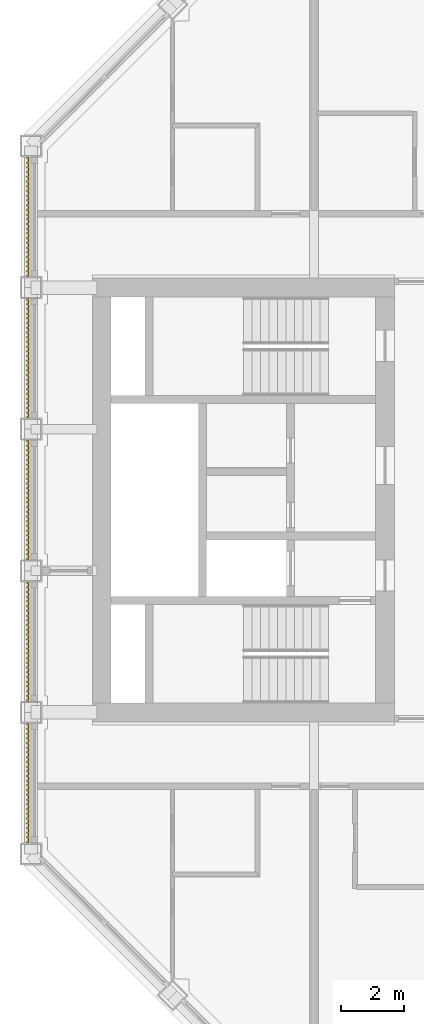
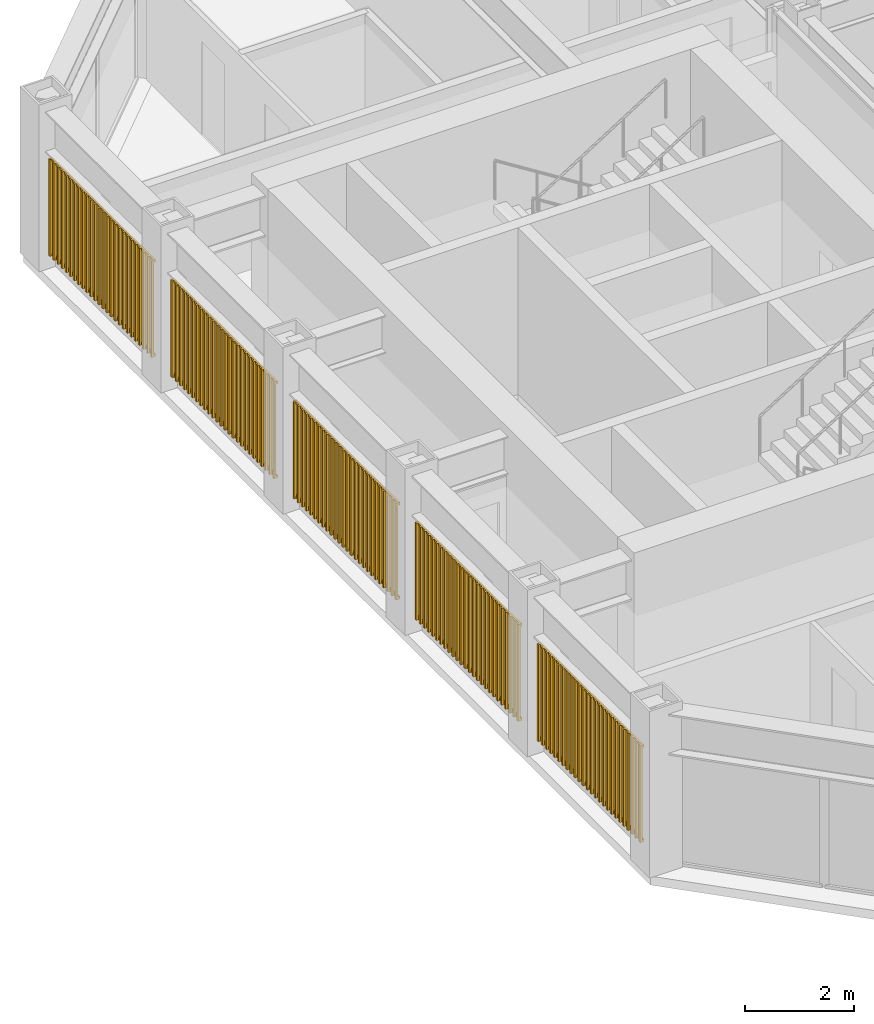
# One storey, part 15 of 18: 1 shading device.
"""IFC4 building model written with IfcOpenShell, lengths in metres."""

from ifc_helpers import new_model, si_unit, direction, frame, origin, origin_2d, place, context, subcontext, project, spatial, rectangle, extrude, material, type_object, element, save


model = new_model("IFC4")

# Units and contexts
model_context = context("Model", 3, precision=1e-05, world=origin(), true_north=direction((0.0, 1.0)))
body_context = subcontext(model_context, "Body", "Model", "MODEL_VIEW")
ifc_project = project(units=[si_unit("LENGTHUNIT", "METRE"), si_unit("AREAUNIT", "SQUARE_METRE"), si_unit("VOLUMEUNIT", "CUBIC_METRE"), si_unit("PLANEANGLEUNIT", "RADIAN"), si_unit("MASSUNIT", "GRAM", prefix="KILO")], contexts=[model_context])

# Site, building, storey
site_placement = place(None, origin())
site = spatial("IfcSite", under=ifc_project, at=site_placement, CompositionType="ELEMENT")
building_placement = place(site_placement, origin())
building = spatial("IfcBuilding", under=site, at=building_placement, Name="Msasa Ring Tower", CompositionType="ELEMENT")
storey_placement = place(building_placement, frame((0.0, 0.0, 200.800048828125)))
storey = spatial("IfcBuildingStorey", under=building, at=storey_placement, Name="L52", CompositionType="ELEMENT", Elevation=200.800048828125)

# Shading device
ifc_material = material(Name="Extruded terracotta on aluminium carriers", Category="masonry")
shading_device_type = type_object("IfcShadingDeviceType", Name="BS1 TERRACOTTA BAGUETTE SCREEN 50x50 AT 150", PredefinedType="USERDEFINED", material=ifc_material)
shading_device_placement = place(storey_placement, origin())
element("IfcShadingDevice", 1, at=shading_device_placement, inside=storey, type_object=shading_device_type, Name="Terracotta baguette screen W L52", ObjectType="BAGUETTE", PredefinedType="USERDEFINED", context=body_context, shape_type="SweptSolid", body=[
    extrude(rectangle(XDim=0.06005859375, YDim=0.0400390625, at=origin_2d()), frame((-20.330078125, -10.89990234375, 0.329833984375), z_axis=(0.0, 1.0, 0.0), x_axis=(0.0, 0.0, 1.0)), (0.0, 0.0, 1.0), 3.800048828125),
    extrude(rectangle(XDim=0.06005859375, YDim=0.0400390625, at=origin_2d()), frame((-20.330078125, -10.89990234375, 2.448974609375), z_axis=(0.0, 1.0, 0.0), x_axis=(0.0, 0.0, 1.0)), (0.0, 0.0, 1.0), 3.800048828125),
    extrude(rectangle(XDim=0.050048828125, YDim=0.050048828125, at=origin_2d()), frame((-20.3701171875, -10.875, 0.300048828125), z_axis=(0.0, 0.0, 1.0), x_axis=(0.0, 1.0, 0.0)), (0.0, 0.0, 1.0), 2.178955078125),
    extrude(rectangle(XDim=0.050048828125, YDim=0.050048828125, at=origin_2d()), frame((-20.3701171875, -10.72509765625, 0.300048828125), z_axis=(0.0, 0.0, 1.0), x_axis=(0.0, 1.0, 0.0)), (0.0, 0.0, 1.0), 2.178955078125),
    extrude(rectangle(XDim=0.050048828125, YDim=0.050048828125, at=origin_2d()), frame((-20.3701171875, -10.574951171875, 0.300048828125), z_axis=(0.0, 0.0, 1.0), x_axis=(0.0, 1.0, 0.0)), (0.0, 0.0, 1.0), 2.178955078125),
    extrude(rectangle(XDim=0.050048828125, YDim=0.050048828125, at=origin_2d()), frame((-20.3701171875, -10.425048828125, 0.300048828125), z_axis=(0.0, 0.0, 1.0), x_axis=(0.0, 1.0, 0.0)), (0.0, 0.0, 1.0), 2.178955078125),
    extrude(rectangle(XDim=0.050048828125, YDim=0.050048828125, at=origin_2d()), frame((-20.3701171875, -10.27490234375, 0.300048828125), z_axis=(0.0, 0.0, 1.0), x_axis=(0.0, 1.0, 0.0)), (0.0, 0.0, 1.0), 2.178955078125),
    extrude(rectangle(XDim=0.050048828125, YDim=0.050048828125, at=origin_2d()), frame((-20.3701171875, -10.125, 0.300048828125), z_axis=(0.0, 0.0, 1.0), x_axis=(0.0, 1.0, 0.0)), (0.0, 0.0, 1.0), 2.178955078125),
    extrude(rectangle(XDim=0.050048828125, YDim=0.050048828125, at=origin_2d()), frame((-20.3701171875, -9.97509765625, 0.300048828125), z_axis=(0.0, 0.0, 1.0), x_axis=(0.0, 1.0, 0.0)), (0.0, 0.0, 1.0), 2.178955078125),
    extrude(rectangle(XDim=0.050048828125, YDim=0.050048828125, at=origin_2d()), frame((-20.3701171875, -9.824951171875, 0.300048828125), z_axis=(0.0, 0.0, 1.0), x_axis=(0.0, 1.0, 0.0)), (0.0, 0.0, 1.0), 2.178955078125),
    extrude(rectangle(XDim=0.050048828125, YDim=0.050048828125, at=origin_2d()), frame((-20.3701171875, -9.675048828125, 0.300048828125), z_axis=(0.0, 0.0, 1.0), x_axis=(0.0, 1.0, 0.0)), (0.0, 0.0, 1.0), 2.178955078125),
    extrude(rectangle(XDim=0.050048828125, YDim=0.050048828125, at=origin_2d()), frame((-20.3701171875, -9.52490234375, 0.300048828125), z_axis=(0.0, 0.0, 1.0), x_axis=(0.0, 1.0, 0.0)), (0.0, 0.0, 1.0), 2.178955078125),
    extrude(rectangle(XDim=0.050048828125, YDim=0.050048828125, at=origin_2d()), frame((-20.3701171875, -9.375, 0.300048828125), z_axis=(0.0, 0.0, 1.0), x_axis=(0.0, 1.0, 0.0)), (0.0, 0.0, 1.0), 2.178955078125),
    extrude(rectangle(XDim=0.050048828125, YDim=0.050048828125, at=origin_2d()), frame((-20.3701171875, -9.22509765625, 0.300048828125), z_axis=(0.0, 0.0, 1.0), x_axis=(0.0, 1.0, 0.0)), (0.0, 0.0, 1.0), 2.178955078125),
    extrude(rectangle(XDim=0.050048828125, YDim=0.050048828125, at=origin_2d()), frame((-20.3701171875, -9.074951171875, 0.300048828125), z_axis=(0.0, 0.0, 1.0), x_axis=(0.0, 1.0, 0.0)), (0.0, 0.0, 1.0), 2.178955078125),
    extrude(rectangle(XDim=0.050048828125, YDim=0.050048828125, at=origin_2d()), frame((-20.3701171875, -8.925048828125, 0.300048828125), z_axis=(0.0, 0.0, 1.0), x_axis=(0.0, 1.0, 0.0)), (0.0, 0.0, 1.0), 2.178955078125),
    extrude(rectangle(XDim=0.050048828125, YDim=0.050048828125, at=origin_2d()), frame((-20.3701171875, -8.77490234375, 0.300048828125), z_axis=(0.0, 0.0, 1.0), x_axis=(0.0, 1.0, 0.0)), (0.0, 0.0, 1.0), 2.178955078125),
    extrude(rectangle(XDim=0.050048828125, YDim=0.050048828125, at=origin_2d()), frame((-20.3701171875, -8.625, 0.300048828125), z_axis=(0.0, 0.0, 1.0), x_axis=(0.0, 1.0, 0.0)), (0.0, 0.0, 1.0), 2.178955078125),
    extrude(rectangle(XDim=0.050048828125, YDim=0.050048828125, at=origin_2d()), frame((-20.3701171875, -8.47509765625, 0.300048828125), z_axis=(0.0, 0.0, 1.0), x_axis=(0.0, 1.0, 0.0)), (0.0, 0.0, 1.0), 2.178955078125),
    extrude(rectangle(XDim=0.050048828125, YDim=0.050048828125, at=origin_2d()), frame((-20.3701171875, -8.324951171875, 0.300048828125), z_axis=(0.0, 0.0, 1.0), x_axis=(0.0, 1.0, 0.0)), (0.0, 0.0, 1.0), 2.178955078125),
    extrude(rectangle(XDim=0.050048828125, YDim=0.050048828125, at=origin_2d()), frame((-20.3701171875, -8.175048828125, 0.300048828125), z_axis=(0.0, 0.0, 1.0), x_axis=(0.0, 1.0, 0.0)), (0.0, 0.0, 1.0), 2.178955078125),
    extrude(rectangle(XDim=0.050048828125, YDim=0.050048828125, at=origin_2d()), frame((-20.3701171875, -8.02490234375, 0.300048828125), z_axis=(0.0, 0.0, 1.0), x_axis=(0.0, 1.0, 0.0)), (0.0, 0.0, 1.0), 2.178955078125),
    extrude(rectangle(XDim=0.050048828125, YDim=0.050048828125, at=origin_2d()), frame((-20.3701171875, -7.875, 0.300048828125), z_axis=(0.0, 0.0, 1.0), x_axis=(0.0, 1.0, 0.0)), (0.0, 0.0, 1.0), 2.178955078125),
    extrude(rectangle(XDim=0.050048828125, YDim=0.050048828125, at=origin_2d()), frame((-20.3701171875, -7.72509765625, 0.300048828125), z_axis=(0.0, 0.0, 1.0), x_axis=(0.0, 1.0, 0.0)), (0.0, 0.0, 1.0), 2.178955078125),
    extrude(rectangle(XDim=0.050048828125, YDim=0.050048828125, at=origin_2d()), frame((-20.3701171875, -7.574951171875, 0.300048828125), z_axis=(0.0, 0.0, 1.0), x_axis=(0.0, 1.0, 0.0)), (0.0, 0.0, 1.0), 2.178955078125),
    extrude(rectangle(XDim=0.050048828125, YDim=0.050048828125, at=origin_2d()), frame((-20.3701171875, -7.425048828125, 0.300048828125), z_axis=(0.0, 0.0, 1.0), x_axis=(0.0, 1.0, 0.0)), (0.0, 0.0, 1.0), 2.178955078125),
    extrude(rectangle(XDim=0.050048828125, YDim=0.050048828125, at=origin_2d()), frame((-20.3701171875, -7.27490234375, 0.300048828125), z_axis=(0.0, 0.0, 1.0), x_axis=(0.0, 1.0, 0.0)), (0.0, 0.0, 1.0), 2.178955078125),
    extrude(rectangle(XDim=0.050048828125, YDim=0.050048828125, at=origin_2d()), frame((-20.3701171875, -7.125, 0.300048828125), z_axis=(0.0, 0.0, 1.0), x_axis=(0.0, 1.0, 0.0)), (0.0, 0.0, 1.0), 2.178955078125),
    extrude(rectangle(XDim=0.06005859375, YDim=0.0400390625, at=origin_2d()), frame((-20.330078125, -6.39990234375, 0.329833984375), z_axis=(0.0, 1.0, 0.0), x_axis=(0.0, 0.0, 1.0)), (0.0, 0.0, 1.0), 3.800048828125),
    extrude(rectangle(XDim=0.06005859375, YDim=0.0400390625, at=origin_2d()), frame((-20.330078125, -6.39990234375, 2.448974609375), z_axis=(0.0, 1.0, 0.0), x_axis=(0.0, 0.0, 1.0)), (0.0, 0.0, 1.0), 3.800048828125),
    extrude(rectangle(XDim=0.050048828125, YDim=0.050048828125, at=origin_2d()), frame((-20.3701171875, -6.375, 0.300048828125), z_axis=(0.0, 0.0, 1.0), x_axis=(0.0, 1.0, 0.0)), (0.0, 0.0, 1.0), 2.178955078125),
    extrude(rectangle(XDim=0.050048828125, YDim=0.050048828125, at=origin_2d()), frame((-20.3701171875, -6.22509765625, 0.300048828125), z_axis=(0.0, 0.0, 1.0), x_axis=(0.0, 1.0, 0.0)), (0.0, 0.0, 1.0), 2.178955078125),
    extrude(rectangle(XDim=0.050048828125, YDim=0.050048828125, at=origin_2d()), frame((-20.3701171875, -6.074951171875, 0.300048828125), z_axis=(0.0, 0.0, 1.0), x_axis=(0.0, 1.0, 0.0)), (0.0, 0.0, 1.0), 2.178955078125),
    extrude(rectangle(XDim=0.050048828125, YDim=0.050048828125, at=origin_2d()), frame((-20.3701171875, -5.925048828125, 0.300048828125), z_axis=(0.0, 0.0, 1.0), x_axis=(0.0, 1.0, 0.0)), (0.0, 0.0, 1.0), 2.178955078125),
    extrude(rectangle(XDim=0.050048828125, YDim=0.050048828125, at=origin_2d()), frame((-20.3701171875, -5.77490234375, 0.300048828125), z_axis=(0.0, 0.0, 1.0), x_axis=(0.0, 1.0, 0.0)), (0.0, 0.0, 1.0), 2.178955078125),
    extrude(rectangle(XDim=0.050048828125, YDim=0.050048828125, at=origin_2d()), frame((-20.3701171875, -5.625, 0.300048828125), z_axis=(0.0, 0.0, 1.0), x_axis=(0.0, 1.0, 0.0)), (0.0, 0.0, 1.0), 2.178955078125),
    extrude(rectangle(XDim=0.050048828125, YDim=0.050048828125, at=origin_2d()), frame((-20.3701171875, -5.47509765625, 0.300048828125), z_axis=(0.0, 0.0, 1.0), x_axis=(0.0, 1.0, 0.0)), (0.0, 0.0, 1.0), 2.178955078125),
    extrude(rectangle(XDim=0.050048828125, YDim=0.050048828125, at=origin_2d()), frame((-20.3701171875, -5.324951171875, 0.300048828125), z_axis=(0.0, 0.0, 1.0), x_axis=(0.0, 1.0, 0.0)), (0.0, 0.0, 1.0), 2.178955078125),
    extrude(rectangle(XDim=0.050048828125, YDim=0.050048828125, at=origin_2d()), frame((-20.3701171875, -5.175048828125, 0.300048828125), z_axis=(0.0, 0.0, 1.0), x_axis=(0.0, 1.0, 0.0)), (0.0, 0.0, 1.0), 2.178955078125),
    extrude(rectangle(XDim=0.050048828125, YDim=0.050048828125, at=origin_2d()), frame((-20.3701171875, -5.02490234375, 0.300048828125), z_axis=(0.0, 0.0, 1.0), x_axis=(0.0, 1.0, 0.0)), (0.0, 0.0, 1.0), 2.178955078125),
    extrude(rectangle(XDim=0.050048828125, YDim=0.050048828125, at=origin_2d()), frame((-20.3701171875, -4.875, 0.300048828125), z_axis=(0.0, 0.0, 1.0), x_axis=(0.0, 1.0, 0.0)), (0.0, 0.0, 1.0), 2.178955078125),
    extrude(rectangle(XDim=0.050048828125, YDim=0.050048828125, at=origin_2d()), frame((-20.3701171875, -4.72509765625, 0.300048828125), z_axis=(0.0, 0.0, 1.0), x_axis=(0.0, 1.0, 0.0)), (0.0, 0.0, 1.0), 2.178955078125),
    extrude(rectangle(XDim=0.050048828125, YDim=0.050048828125, at=origin_2d()), frame((-20.3701171875, -4.574951171875, 0.300048828125), z_axis=(0.0, 0.0, 1.0), x_axis=(0.0, 1.0, 0.0)), (0.0, 0.0, 1.0), 2.178955078125),
    extrude(rectangle(XDim=0.050048828125, YDim=0.050048828125, at=origin_2d()), frame((-20.3701171875, -4.425048828125, 0.300048828125), z_axis=(0.0, 0.0, 1.0), x_axis=(0.0, 1.0, 0.0)), (0.0, 0.0, 1.0), 2.178955078125),
    extrude(rectangle(XDim=0.050048828125, YDim=0.050048828125, at=origin_2d()), frame((-20.3701171875, -4.27490234375, 0.300048828125), z_axis=(0.0, 0.0, 1.0), x_axis=(0.0, 1.0, 0.0)), (0.0, 0.0, 1.0), 2.178955078125),
    extrude(rectangle(XDim=0.050048828125, YDim=0.050048828125, at=origin_2d()), frame((-20.3701171875, -4.125, 0.300048828125), z_axis=(0.0, 0.0, 1.0), x_axis=(0.0, 1.0, 0.0)), (0.0, 0.0, 1.0), 2.178955078125),
    extrude(rectangle(XDim=0.050048828125, YDim=0.050048828125, at=origin_2d()), frame((-20.3701171875, -3.97509765625, 0.300048828125), z_axis=(0.0, 0.0, 1.0), x_axis=(0.0, 1.0, 0.0)), (0.0, 0.0, 1.0), 2.178955078125),
    extrude(rectangle(XDim=0.050048828125, YDim=0.050048828125, at=origin_2d()), frame((-20.3701171875, -3.824951171875, 0.300048828125), z_axis=(0.0, 0.0, 1.0), x_axis=(0.0, 1.0, 0.0)), (0.0, 0.0, 1.0), 2.178955078125),
    extrude(rectangle(XDim=0.050048828125, YDim=0.050048828125, at=origin_2d()), frame((-20.3701171875, -3.675048828125, 0.300048828125), z_axis=(0.0, 0.0, 1.0), x_axis=(0.0, 1.0, 0.0)), (0.0, 0.0, 1.0), 2.178955078125),
    extrude(rectangle(XDim=0.050048828125, YDim=0.050048828125, at=origin_2d()), frame((-20.3701171875, -3.52490234375, 0.300048828125), z_axis=(0.0, 0.0, 1.0), x_axis=(0.0, 1.0, 0.0)), (0.0, 0.0, 1.0), 2.178955078125),
    extrude(rectangle(XDim=0.050048828125, YDim=0.050048828125, at=origin_2d()), frame((-20.3701171875, -3.375, 0.300048828125), z_axis=(0.0, 0.0, 1.0), x_axis=(0.0, 1.0, 0.0)), (0.0, 0.0, 1.0), 2.178955078125),
    extrude(rectangle(XDim=0.050048828125, YDim=0.050048828125, at=origin_2d()), frame((-20.3701171875, -3.22509765625, 0.300048828125), z_axis=(0.0, 0.0, 1.0), x_axis=(0.0, 1.0, 0.0)), (0.0, 0.0, 1.0), 2.178955078125),
    extrude(rectangle(XDim=0.050048828125, YDim=0.050048828125, at=origin_2d()), frame((-20.3701171875, -3.074951171875, 0.300048828125), z_axis=(0.0, 0.0, 1.0), x_axis=(0.0, 1.0, 0.0)), (0.0, 0.0, 1.0), 2.178955078125),
    extrude(rectangle(XDim=0.050048828125, YDim=0.050048828125, at=origin_2d()), frame((-20.3701171875, -2.925048828125, 0.300048828125), z_axis=(0.0, 0.0, 1.0), x_axis=(0.0, 1.0, 0.0)), (0.0, 0.0, 1.0), 2.178955078125),
    extrude(rectangle(XDim=0.050048828125, YDim=0.050048828125, at=origin_2d()), frame((-20.3701171875, -2.77490234375, 0.300048828125), z_axis=(0.0, 0.0, 1.0), x_axis=(0.0, 1.0, 0.0)), (0.0, 0.0, 1.0), 2.178955078125),
    extrude(rectangle(XDim=0.050048828125, YDim=0.050048828125, at=origin_2d()), frame((-20.3701171875, -2.625, 0.300048828125), z_axis=(0.0, 0.0, 1.0), x_axis=(0.0, 1.0, 0.0)), (0.0, 0.0, 1.0), 2.178955078125),
    extrude(rectangle(XDim=0.06005859375, YDim=0.0400390625, at=origin_2d()), frame((-20.330078125, -1.89990234375, 0.329833984375), z_axis=(0.0, 1.0, 0.0), x_axis=(0.0, 0.0, 1.0)), (0.0, 0.0, 1.0), 3.800048828125),
    extrude(rectangle(XDim=0.06005859375, YDim=0.0400390625, at=origin_2d()), frame((-20.330078125, -1.89990234375, 2.448974609375), z_axis=(0.0, 1.0, 0.0), x_axis=(0.0, 0.0, 1.0)), (0.0, 0.0, 1.0), 3.800048828125),
    extrude(rectangle(XDim=0.050048828125, YDim=0.050048828125, at=origin_2d()), frame((-20.3701171875, -1.875, 0.300048828125), z_axis=(0.0, 0.0, 1.0), x_axis=(0.0, 1.0, 0.0)), (0.0, 0.0, 1.0), 2.178955078125),
    extrude(rectangle(XDim=0.050048828125, YDim=0.050048828125, at=origin_2d()), frame((-20.3701171875, -1.72509765625, 0.300048828125), z_axis=(0.0, 0.0, 1.0), x_axis=(0.0, 1.0, 0.0)), (0.0, 0.0, 1.0), 2.178955078125),
    extrude(rectangle(XDim=0.050048828125, YDim=0.050048828125, at=origin_2d()), frame((-20.3701171875, -1.574951171875, 0.300048828125), z_axis=(0.0, 0.0, 1.0), x_axis=(0.0, 1.0, 0.0)), (0.0, 0.0, 1.0), 2.178955078125),
    extrude(rectangle(XDim=0.050048828125, YDim=0.050048828125, at=origin_2d()), frame((-20.3701171875, -1.425048828125, 0.300048828125), z_axis=(0.0, 0.0, 1.0), x_axis=(0.0, 1.0, 0.0)), (0.0, 0.0, 1.0), 2.178955078125),
    extrude(rectangle(XDim=0.050048828125, YDim=0.050048828125, at=origin_2d()), frame((-20.3701171875, -1.27490234375, 0.300048828125), z_axis=(0.0, 0.0, 1.0), x_axis=(0.0, 1.0, 0.0)), (0.0, 0.0, 1.0), 2.178955078125),
    extrude(rectangle(XDim=0.050048828125, YDim=0.050048828125, at=origin_2d()), frame((-20.3701171875, -1.125, 0.300048828125), z_axis=(0.0, 0.0, 1.0), x_axis=(0.0, 1.0, 0.0)), (0.0, 0.0, 1.0), 2.178955078125),
    extrude(rectangle(XDim=0.050048828125, YDim=0.050048828125, at=origin_2d()), frame((-20.3701171875, -0.97509765625, 0.300048828125), z_axis=(0.0, 0.0, 1.0), x_axis=(0.0, 1.0, 0.0)), (0.0, 0.0, 1.0), 2.178955078125),
    extrude(rectangle(XDim=0.050048828125, YDim=0.050048828125, at=origin_2d()), frame((-20.3701171875, -0.824951171875, 0.300048828125), z_axis=(0.0, 0.0, 1.0), x_axis=(0.0, 1.0, 0.0)), (0.0, 0.0, 1.0), 2.178955078125),
    extrude(rectangle(XDim=0.050048828125, YDim=0.050048828125, at=origin_2d()), frame((-20.3701171875, -0.675048828125, 0.300048828125), z_axis=(0.0, 0.0, 1.0), x_axis=(0.0, 1.0, 0.0)), (0.0, 0.0, 1.0), 2.178955078125),
    extrude(rectangle(XDim=0.050048828125, YDim=0.050048828125, at=origin_2d()), frame((-20.3701171875, -0.52490234375, 0.300048828125), z_axis=(0.0, 0.0, 1.0), x_axis=(0.0, 1.0, 0.0)), (0.0, 0.0, 1.0), 2.178955078125),
    extrude(rectangle(XDim=0.050048828125, YDim=0.050048828125, at=origin_2d()), frame((-20.3701171875, -0.375, 0.300048828125), z_axis=(0.0, 0.0, 1.0), x_axis=(0.0, 1.0, 0.0)), (0.0, 0.0, 1.0), 2.178955078125),
    extrude(rectangle(XDim=0.050048828125, YDim=0.050048828125, at=origin_2d()), frame((-20.3701171875, -0.22509765625, 0.300048828125), z_axis=(0.0, 0.0, 1.0), x_axis=(0.0, 1.0, 0.0)), (0.0, 0.0, 1.0), 2.178955078125),
    extrude(rectangle(XDim=0.050048828125, YDim=0.050048828125, at=origin_2d()), frame((-20.3701171875, -0.074951171875, 0.300048828125), z_axis=(0.0, 0.0, 1.0), x_axis=(0.0, 1.0, 0.0)), (0.0, 0.0, 1.0), 2.178955078125),
    extrude(rectangle(XDim=0.050048828125, YDim=0.050048828125, at=origin_2d()), frame((-20.3701171875, 0.074951171875, 0.300048828125), z_axis=(0.0, 0.0, 1.0), x_axis=(0.0, 1.0, 0.0)), (0.0, 0.0, 1.0), 2.178955078125),
    extrude(rectangle(XDim=0.050048828125, YDim=0.050048828125, at=origin_2d()), frame((-20.3701171875, 0.22509765625, 0.300048828125), z_axis=(0.0, 0.0, 1.0), x_axis=(0.0, 1.0, 0.0)), (0.0, 0.0, 1.0), 2.178955078125),
    extrude(rectangle(XDim=0.050048828125, YDim=0.050048828125, at=origin_2d()), frame((-20.3701171875, 0.375, 0.300048828125), z_axis=(0.0, 0.0, 1.0), x_axis=(0.0, 1.0, 0.0)), (0.0, 0.0, 1.0), 2.178955078125),
    extrude(rectangle(XDim=0.050048828125, YDim=0.050048828125, at=origin_2d()), frame((-20.3701171875, 0.52490234375, 0.300048828125), z_axis=(0.0, 0.0, 1.0), x_axis=(0.0, 1.0, 0.0)), (0.0, 0.0, 1.0), 2.178955078125),
    extrude(rectangle(XDim=0.050048828125, YDim=0.050048828125, at=origin_2d()), frame((-20.3701171875, 0.675048828125, 0.300048828125), z_axis=(0.0, 0.0, 1.0), x_axis=(0.0, 1.0, 0.0)), (0.0, 0.0, 1.0), 2.178955078125),
    extrude(rectangle(XDim=0.050048828125, YDim=0.050048828125, at=origin_2d()), frame((-20.3701171875, 0.824951171875, 0.300048828125), z_axis=(0.0, 0.0, 1.0), x_axis=(0.0, 1.0, 0.0)), (0.0, 0.0, 1.0), 2.178955078125),
    extrude(rectangle(XDim=0.050048828125, YDim=0.050048828125, at=origin_2d()), frame((-20.3701171875, 0.97509765625, 0.300048828125), z_axis=(0.0, 0.0, 1.0), x_axis=(0.0, 1.0, 0.0)), (0.0, 0.0, 1.0), 2.178955078125),
    extrude(rectangle(XDim=0.050048828125, YDim=0.050048828125, at=origin_2d()), frame((-20.3701171875, 1.125, 0.300048828125), z_axis=(0.0, 0.0, 1.0), x_axis=(0.0, 1.0, 0.0)), (0.0, 0.0, 1.0), 2.178955078125),
    extrude(rectangle(XDim=0.050048828125, YDim=0.050048828125, at=origin_2d()), frame((-20.3701171875, 1.27490234375, 0.300048828125), z_axis=(0.0, 0.0, 1.0), x_axis=(0.0, 1.0, 0.0)), (0.0, 0.0, 1.0), 2.178955078125),
    extrude(rectangle(XDim=0.050048828125, YDim=0.050048828125, at=origin_2d()), frame((-20.3701171875, 1.425048828125, 0.300048828125), z_axis=(0.0, 0.0, 1.0), x_axis=(0.0, 1.0, 0.0)), (0.0, 0.0, 1.0), 2.178955078125),
    extrude(rectangle(XDim=0.050048828125, YDim=0.050048828125, at=origin_2d()), frame((-20.3701171875, 1.574951171875, 0.300048828125), z_axis=(0.0, 0.0, 1.0), x_axis=(0.0, 1.0, 0.0)), (0.0, 0.0, 1.0), 2.178955078125),
    extrude(rectangle(XDim=0.050048828125, YDim=0.050048828125, at=origin_2d()), frame((-20.3701171875, 1.72509765625, 0.300048828125), z_axis=(0.0, 0.0, 1.0), x_axis=(0.0, 1.0, 0.0)), (0.0, 0.0, 1.0), 2.178955078125),
    extrude(rectangle(XDim=0.050048828125, YDim=0.050048828125, at=origin_2d()), frame((-20.3701171875, 1.875, 0.300048828125), z_axis=(0.0, 0.0, 1.0), x_axis=(0.0, 1.0, 0.0)), (0.0, 0.0, 1.0), 2.178955078125),
    extrude(rectangle(XDim=0.06005859375, YDim=0.0400390625, at=origin_2d()), frame((-20.330078125, 2.60009765625, 0.329833984375), z_axis=(0.0, 1.0, 0.0), x_axis=(0.0, 0.0, 1.0)), (0.0, 0.0, 1.0), 3.800048828125),
    extrude(rectangle(XDim=0.06005859375, YDim=0.0400390625, at=origin_2d()), frame((-20.330078125, 2.60009765625, 2.448974609375), z_axis=(0.0, 1.0, 0.0), x_axis=(0.0, 0.0, 1.0)), (0.0, 0.0, 1.0), 3.800048828125),
    extrude(rectangle(XDim=0.050048828125, YDim=0.050048828125, at=origin_2d()), frame((-20.3701171875, 2.625, 0.300048828125), z_axis=(0.0, 0.0, 1.0), x_axis=(0.0, 1.0, 0.0)), (0.0, 0.0, 1.0), 2.178955078125),
    extrude(rectangle(XDim=0.050048828125, YDim=0.050048828125, at=origin_2d()), frame((-20.3701171875, 2.77490234375, 0.300048828125), z_axis=(0.0, 0.0, 1.0), x_axis=(0.0, 1.0, 0.0)), (0.0, 0.0, 1.0), 2.178955078125),
    extrude(rectangle(XDim=0.050048828125, YDim=0.050048828125, at=origin_2d()), frame((-20.3701171875, 2.925048828125, 0.300048828125), z_axis=(0.0, 0.0, 1.0), x_axis=(0.0, 1.0, 0.0)), (0.0, 0.0, 1.0), 2.178955078125),
    extrude(rectangle(XDim=0.050048828125, YDim=0.050048828125, at=origin_2d()), frame((-20.3701171875, 3.074951171875, 0.300048828125), z_axis=(0.0, 0.0, 1.0), x_axis=(0.0, 1.0, 0.0)), (0.0, 0.0, 1.0), 2.178955078125),
    extrude(rectangle(XDim=0.050048828125, YDim=0.050048828125, at=origin_2d()), frame((-20.3701171875, 3.22509765625, 0.300048828125), z_axis=(0.0, 0.0, 1.0), x_axis=(0.0, 1.0, 0.0)), (0.0, 0.0, 1.0), 2.178955078125),
    extrude(rectangle(XDim=0.050048828125, YDim=0.050048828125, at=origin_2d()), frame((-20.3701171875, 3.375, 0.300048828125), z_axis=(0.0, 0.0, 1.0), x_axis=(0.0, 1.0, 0.0)), (0.0, 0.0, 1.0), 2.178955078125),
    extrude(rectangle(XDim=0.050048828125, YDim=0.050048828125, at=origin_2d()), frame((-20.3701171875, 3.52490234375, 0.300048828125), z_axis=(0.0, 0.0, 1.0), x_axis=(0.0, 1.0, 0.0)), (0.0, 0.0, 1.0), 2.178955078125),
    extrude(rectangle(XDim=0.050048828125, YDim=0.050048828125, at=origin_2d()), frame((-20.3701171875, 3.675048828125, 0.300048828125), z_axis=(0.0, 0.0, 1.0), x_axis=(0.0, 1.0, 0.0)), (0.0, 0.0, 1.0), 2.178955078125),
    extrude(rectangle(XDim=0.050048828125, YDim=0.050048828125, at=origin_2d()), frame((-20.3701171875, 3.824951171875, 0.300048828125), z_axis=(0.0, 0.0, 1.0), x_axis=(0.0, 1.0, 0.0)), (0.0, 0.0, 1.0), 2.178955078125),
    extrude(rectangle(XDim=0.050048828125, YDim=0.050048828125, at=origin_2d()), frame((-20.3701171875, 3.97509765625, 0.300048828125), z_axis=(0.0, 0.0, 1.0), x_axis=(0.0, 1.0, 0.0)), (0.0, 0.0, 1.0), 2.178955078125),
    extrude(rectangle(XDim=0.050048828125, YDim=0.050048828125, at=origin_2d()), frame((-20.3701171875, 4.125, 0.300048828125), z_axis=(0.0, 0.0, 1.0), x_axis=(0.0, 1.0, 0.0)), (0.0, 0.0, 1.0), 2.178955078125),
    extrude(rectangle(XDim=0.050048828125, YDim=0.050048828125, at=origin_2d()), frame((-20.3701171875, 4.27490234375, 0.300048828125), z_axis=(0.0, 0.0, 1.0), x_axis=(0.0, 1.0, 0.0)), (0.0, 0.0, 1.0), 2.178955078125),
    extrude(rectangle(XDim=0.050048828125, YDim=0.050048828125, at=origin_2d()), frame((-20.3701171875, 4.425048828125, 0.300048828125), z_axis=(0.0, 0.0, 1.0), x_axis=(0.0, 1.0, 0.0)), (0.0, 0.0, 1.0), 2.178955078125),
    extrude(rectangle(XDim=0.050048828125, YDim=0.050048828125, at=origin_2d()), frame((-20.3701171875, 4.574951171875, 0.300048828125), z_axis=(0.0, 0.0, 1.0), x_axis=(0.0, 1.0, 0.0)), (0.0, 0.0, 1.0), 2.178955078125),
    extrude(rectangle(XDim=0.050048828125, YDim=0.050048828125, at=origin_2d()), frame((-20.3701171875, 4.72509765625, 0.300048828125), z_axis=(0.0, 0.0, 1.0), x_axis=(0.0, 1.0, 0.0)), (0.0, 0.0, 1.0), 2.178955078125),
    extrude(rectangle(XDim=0.050048828125, YDim=0.050048828125, at=origin_2d()), frame((-20.3701171875, 4.875, 0.300048828125), z_axis=(0.0, 0.0, 1.0), x_axis=(0.0, 1.0, 0.0)), (0.0, 0.0, 1.0), 2.178955078125),
    extrude(rectangle(XDim=0.050048828125, YDim=0.050048828125, at=origin_2d()), frame((-20.3701171875, 5.02490234375, 0.300048828125), z_axis=(0.0, 0.0, 1.0), x_axis=(0.0, 1.0, 0.0)), (0.0, 0.0, 1.0), 2.178955078125),
    extrude(rectangle(XDim=0.050048828125, YDim=0.050048828125, at=origin_2d()), frame((-20.3701171875, 5.175048828125, 0.300048828125), z_axis=(0.0, 0.0, 1.0), x_axis=(0.0, 1.0, 0.0)), (0.0, 0.0, 1.0), 2.178955078125),
    extrude(rectangle(XDim=0.050048828125, YDim=0.050048828125, at=origin_2d()), frame((-20.3701171875, 5.324951171875, 0.300048828125), z_axis=(0.0, 0.0, 1.0), x_axis=(0.0, 1.0, 0.0)), (0.0, 0.0, 1.0), 2.178955078125),
    extrude(rectangle(XDim=0.050048828125, YDim=0.050048828125, at=origin_2d()), frame((-20.3701171875, 5.47509765625, 0.300048828125), z_axis=(0.0, 0.0, 1.0), x_axis=(0.0, 1.0, 0.0)), (0.0, 0.0, 1.0), 2.178955078125),
    extrude(rectangle(XDim=0.050048828125, YDim=0.050048828125, at=origin_2d()), frame((-20.3701171875, 5.625, 0.300048828125), z_axis=(0.0, 0.0, 1.0), x_axis=(0.0, 1.0, 0.0)), (0.0, 0.0, 1.0), 2.178955078125),
    extrude(rectangle(XDim=0.050048828125, YDim=0.050048828125, at=origin_2d()), frame((-20.3701171875, 5.77490234375, 0.300048828125), z_axis=(0.0, 0.0, 1.0), x_axis=(0.0, 1.0, 0.0)), (0.0, 0.0, 1.0), 2.178955078125),
    extrude(rectangle(XDim=0.050048828125, YDim=0.050048828125, at=origin_2d()), frame((-20.3701171875, 5.925048828125, 0.300048828125), z_axis=(0.0, 0.0, 1.0), x_axis=(0.0, 1.0, 0.0)), (0.0, 0.0, 1.0), 2.178955078125),
    extrude(rectangle(XDim=0.050048828125, YDim=0.050048828125, at=origin_2d()), frame((-20.3701171875, 6.074951171875, 0.300048828125), z_axis=(0.0, 0.0, 1.0), x_axis=(0.0, 1.0, 0.0)), (0.0, 0.0, 1.0), 2.178955078125),
    extrude(rectangle(XDim=0.050048828125, YDim=0.050048828125, at=origin_2d()), frame((-20.3701171875, 6.22509765625, 0.300048828125), z_axis=(0.0, 0.0, 1.0), x_axis=(0.0, 1.0, 0.0)), (0.0, 0.0, 1.0), 2.178955078125),
    extrude(rectangle(XDim=0.050048828125, YDim=0.050048828125, at=origin_2d()), frame((-20.3701171875, 6.375, 0.300048828125), z_axis=(0.0, 0.0, 1.0), x_axis=(0.0, 1.0, 0.0)), (0.0, 0.0, 1.0), 2.178955078125),
    extrude(rectangle(XDim=0.06005859375, YDim=0.0400390625, at=origin_2d()), frame((-20.330078125, 7.10009765625, 0.329833984375), z_axis=(0.0, 1.0, 0.0), x_axis=(0.0, 0.0, 1.0)), (0.0, 0.0, 1.0), 3.800048828125),
    extrude(rectangle(XDim=0.06005859375, YDim=0.0400390625, at=origin_2d()), frame((-20.330078125, 7.10009765625, 2.448974609375), z_axis=(0.0, 1.0, 0.0), x_axis=(0.0, 0.0, 1.0)), (0.0, 0.0, 1.0), 3.800048828125),
    extrude(rectangle(XDim=0.050048828125, YDim=0.050048828125, at=origin_2d()), frame((-20.3701171875, 7.125, 0.300048828125), z_axis=(0.0, 0.0, 1.0), x_axis=(0.0, 1.0, 0.0)), (0.0, 0.0, 1.0), 2.178955078125),
    extrude(rectangle(XDim=0.050048828125, YDim=0.050048828125, at=origin_2d()), frame((-20.3701171875, 7.27490234375, 0.300048828125), z_axis=(0.0, 0.0, 1.0), x_axis=(0.0, 1.0, 0.0)), (0.0, 0.0, 1.0), 2.178955078125),
    extrude(rectangle(XDim=0.050048828125, YDim=0.050048828125, at=origin_2d()), frame((-20.3701171875, 7.425048828125, 0.300048828125), z_axis=(0.0, 0.0, 1.0), x_axis=(0.0, 1.0, 0.0)), (0.0, 0.0, 1.0), 2.178955078125),
    extrude(rectangle(XDim=0.050048828125, YDim=0.050048828125, at=origin_2d()), frame((-20.3701171875, 7.574951171875, 0.300048828125), z_axis=(0.0, 0.0, 1.0), x_axis=(0.0, 1.0, 0.0)), (0.0, 0.0, 1.0), 2.178955078125),
    extrude(rectangle(XDim=0.050048828125, YDim=0.050048828125, at=origin_2d()), frame((-20.3701171875, 7.72509765625, 0.300048828125), z_axis=(0.0, 0.0, 1.0), x_axis=(0.0, 1.0, 0.0)), (0.0, 0.0, 1.0), 2.178955078125),
    extrude(rectangle(XDim=0.050048828125, YDim=0.050048828125, at=origin_2d()), frame((-20.3701171875, 7.875, 0.300048828125), z_axis=(0.0, 0.0, 1.0), x_axis=(0.0, 1.0, 0.0)), (0.0, 0.0, 1.0), 2.178955078125),
    extrude(rectangle(XDim=0.050048828125, YDim=0.050048828125, at=origin_2d()), frame((-20.3701171875, 8.02490234375, 0.300048828125), z_axis=(0.0, 0.0, 1.0), x_axis=(0.0, 1.0, 0.0)), (0.0, 0.0, 1.0), 2.178955078125),
    extrude(rectangle(XDim=0.050048828125, YDim=0.050048828125, at=origin_2d()), frame((-20.3701171875, 8.175048828125, 0.300048828125), z_axis=(0.0, 0.0, 1.0), x_axis=(0.0, 1.0, 0.0)), (0.0, 0.0, 1.0), 2.178955078125),
    extrude(rectangle(XDim=0.050048828125, YDim=0.050048828125, at=origin_2d()), frame((-20.3701171875, 8.324951171875, 0.300048828125), z_axis=(0.0, 0.0, 1.0), x_axis=(0.0, 1.0, 0.0)), (0.0, 0.0, 1.0), 2.178955078125),
    extrude(rectangle(XDim=0.050048828125, YDim=0.050048828125, at=origin_2d()), frame((-20.3701171875, 8.47509765625, 0.300048828125), z_axis=(0.0, 0.0, 1.0), x_axis=(0.0, 1.0, 0.0)), (0.0, 0.0, 1.0), 2.178955078125),
    extrude(rectangle(XDim=0.050048828125, YDim=0.050048828125, at=origin_2d()), frame((-20.3701171875, 8.625, 0.300048828125), z_axis=(0.0, 0.0, 1.0), x_axis=(0.0, 1.0, 0.0)), (0.0, 0.0, 1.0), 2.178955078125),
    extrude(rectangle(XDim=0.050048828125, YDim=0.050048828125, at=origin_2d()), frame((-20.3701171875, 8.77490234375, 0.300048828125), z_axis=(0.0, 0.0, 1.0), x_axis=(0.0, 1.0, 0.0)), (0.0, 0.0, 1.0), 2.178955078125),
    extrude(rectangle(XDim=0.050048828125, YDim=0.050048828125, at=origin_2d()), frame((-20.3701171875, 8.925048828125, 0.300048828125), z_axis=(0.0, 0.0, 1.0), x_axis=(0.0, 1.0, 0.0)), (0.0, 0.0, 1.0), 2.178955078125),
    extrude(rectangle(XDim=0.050048828125, YDim=0.050048828125, at=origin_2d()), frame((-20.3701171875, 9.074951171875, 0.300048828125), z_axis=(0.0, 0.0, 1.0), x_axis=(0.0, 1.0, 0.0)), (0.0, 0.0, 1.0), 2.178955078125),
    extrude(rectangle(XDim=0.050048828125, YDim=0.050048828125, at=origin_2d()), frame((-20.3701171875, 9.22509765625, 0.300048828125), z_axis=(0.0, 0.0, 1.0), x_axis=(0.0, 1.0, 0.0)), (0.0, 0.0, 1.0), 2.178955078125),
    extrude(rectangle(XDim=0.050048828125, YDim=0.050048828125, at=origin_2d()), frame((-20.3701171875, 9.375, 0.300048828125), z_axis=(0.0, 0.0, 1.0), x_axis=(0.0, 1.0, 0.0)), (0.0, 0.0, 1.0), 2.178955078125),
    extrude(rectangle(XDim=0.050048828125, YDim=0.050048828125, at=origin_2d()), frame((-20.3701171875, 9.52490234375, 0.300048828125), z_axis=(0.0, 0.0, 1.0), x_axis=(0.0, 1.0, 0.0)), (0.0, 0.0, 1.0), 2.178955078125),
    extrude(rectangle(XDim=0.050048828125, YDim=0.050048828125, at=origin_2d()), frame((-20.3701171875, 9.675048828125, 0.300048828125), z_axis=(0.0, 0.0, 1.0), x_axis=(0.0, 1.0, 0.0)), (0.0, 0.0, 1.0), 2.178955078125),
    extrude(rectangle(XDim=0.050048828125, YDim=0.050048828125, at=origin_2d()), frame((-20.3701171875, 9.824951171875, 0.300048828125), z_axis=(0.0, 0.0, 1.0), x_axis=(0.0, 1.0, 0.0)), (0.0, 0.0, 1.0), 2.178955078125),
    extrude(rectangle(XDim=0.050048828125, YDim=0.050048828125, at=origin_2d()), frame((-20.3701171875, 9.97509765625, 0.300048828125), z_axis=(0.0, 0.0, 1.0), x_axis=(0.0, 1.0, 0.0)), (0.0, 0.0, 1.0), 2.178955078125),
    extrude(rectangle(XDim=0.050048828125, YDim=0.050048828125, at=origin_2d()), frame((-20.3701171875, 10.125, 0.300048828125), z_axis=(0.0, 0.0, 1.0), x_axis=(0.0, 1.0, 0.0)), (0.0, 0.0, 1.0), 2.178955078125),
    extrude(rectangle(XDim=0.050048828125, YDim=0.050048828125, at=origin_2d()), frame((-20.3701171875, 10.27490234375, 0.300048828125), z_axis=(0.0, 0.0, 1.0), x_axis=(0.0, 1.0, 0.0)), (0.0, 0.0, 1.0), 2.178955078125),
    extrude(rectangle(XDim=0.050048828125, YDim=0.050048828125, at=origin_2d()), frame((-20.3701171875, 10.425048828125, 0.300048828125), z_axis=(0.0, 0.0, 1.0), x_axis=(0.0, 1.0, 0.0)), (0.0, 0.0, 1.0), 2.178955078125),
    extrude(rectangle(XDim=0.050048828125, YDim=0.050048828125, at=origin_2d()), frame((-20.3701171875, 10.574951171875, 0.300048828125), z_axis=(0.0, 0.0, 1.0), x_axis=(0.0, 1.0, 0.0)), (0.0, 0.0, 1.0), 2.178955078125),
    extrude(rectangle(XDim=0.050048828125, YDim=0.050048828125, at=origin_2d()), frame((-20.3701171875, 10.72509765625, 0.300048828125), z_axis=(0.0, 0.0, 1.0), x_axis=(0.0, 1.0, 0.0)), (0.0, 0.0, 1.0), 2.178955078125),
    extrude(rectangle(XDim=0.050048828125, YDim=0.050048828125, at=origin_2d()), frame((-20.3701171875, 10.875, 0.300048828125), z_axis=(0.0, 0.0, 1.0), x_axis=(0.0, 1.0, 0.0)), (0.0, 0.0, 1.0), 2.178955078125),
])

save(model, "model.ifc")
